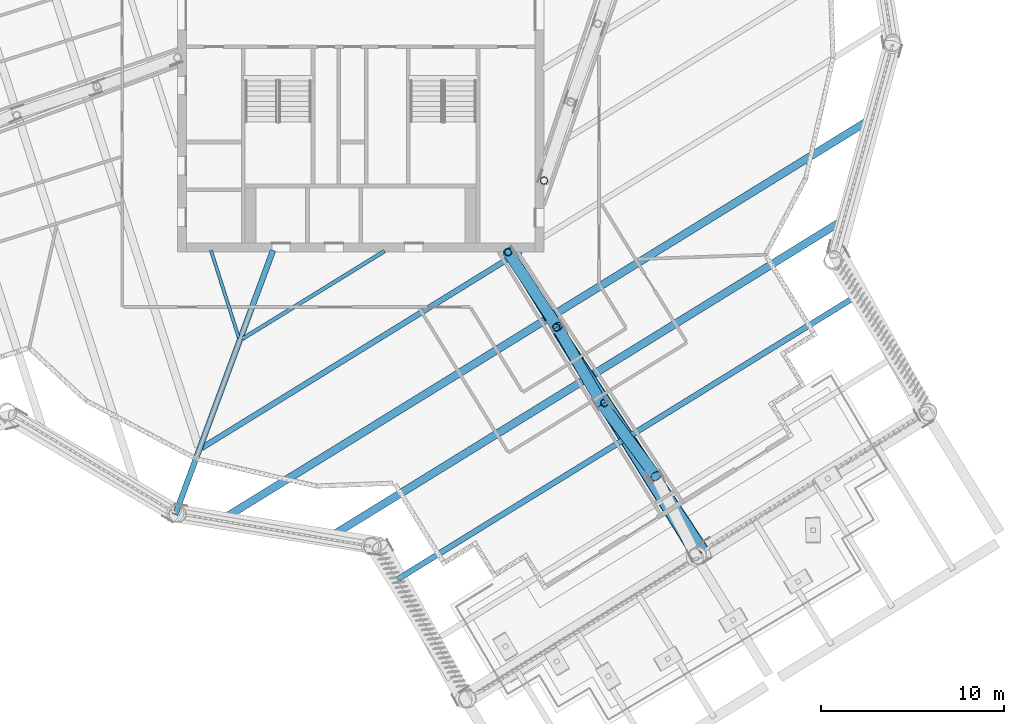
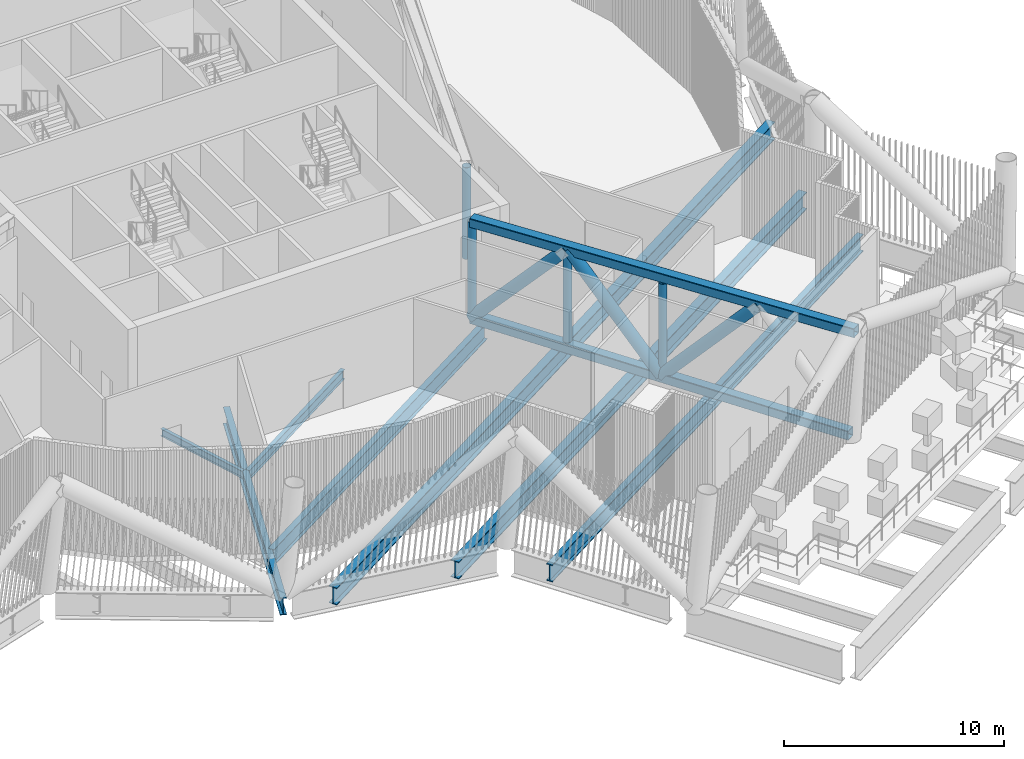
# One storey, part 4 of 40: 9 members, 7 beams.
"""IFC4 building model written with IfcOpenShell, lengths in metres."""

from ifc_helpers import new_model, si_unit, direction, frame, origin, origin_2d, place, context, subcontext, project, spatial, hollow_rectangle, hollow_circle, i_section, extrude, material, material_profile, profile_set, type_object, element, save


model = new_model("IFC4")

# Units and contexts
model_context = context("Model", 3, precision=1e-05, world=origin(), true_north=direction((0.0, 1.0)))
body_context = subcontext(model_context, "Body", "Model", "MODEL_VIEW")
ifc_project = project(units=[si_unit("LENGTHUNIT", "METRE"), si_unit("AREAUNIT", "SQUARE_METRE"), si_unit("VOLUMEUNIT", "CUBIC_METRE"), si_unit("PLANEANGLEUNIT", "RADIAN"), si_unit("MASSUNIT", "GRAM", prefix="KILO")], contexts=[model_context])

# Site, building, storey
site_placement = place(None, origin())
site = spatial("IfcSite", under=ifc_project, at=site_placement, CompositionType="ELEMENT")
building_placement = place(site_placement, origin())
building = spatial("IfcBuilding", under=site, at=building_placement, Name="Tarsis Ring Headquarters", CompositionType="ELEMENT")
storey_placement = place(building_placement, frame((0.0, 0.0, 354.800048828125)))
storey = spatial("IfcBuildingStorey", under=building, at=storey_placement, Name="L84", CompositionType="ELEMENT", Elevation=354.800048828125)

# Beams
ifc_material = material(Name="Structural steel S355", Category="steel")
ifc_material_profile_1 = material_profile(ifc_material, i_section(OverallWidth=0.177734375, OverallDepth=0.406494140625, WebThickness=0.0078125, FlangeThickness=0.0126953125, at=origin_2d()), Name="W16x40")
ifc_profile_set_1 = profile_set([ifc_material_profile_1], Name="Structural steel S355")
beam_type_1 = type_object("IfcBeamType", Name="FB Floor beam W16x40", PredefinedType="JOIST", material=ifc_profile_set_1)
beam_1_placement = place(storey_placement, frame((-8.16650390625, -12.90478515625, -0.503173828125), z_axis=(0.303682474088, -0.952773296714, 0.0), x_axis=(0.952773296714, 0.303682474088, 0.0)))
element("IfcBeam", 1, at=beam_1_placement, inside=storey, type_object=beam_type_1, Name="Floor beam FB1", PredefinedType="JOIST", context=body_context, shape_type="SweptSolid", body=[
    extrude(i_section(OverallWidth=0.177734375, OverallDepth=0.406494140625, WebThickness=0.0078125, FlangeThickness=0.0126953125, at=origin_2d()), origin(), (0.0, 0.0, 1.0), 5.008544921875),
])
ifc_material_profile_2 = material_profile(ifc_material, i_section(OverallWidth=0.209228515625, OverallDepth=0.533447265625, WebThickness=0.01025390625, FlangeThickness=0.015625, at=origin_2d()), Name="W21x62")
ifc_profile_set_2 = profile_set([ifc_material_profile_2], Name="Structural steel S355")
beam_type_2 = type_object("IfcBeamType", Name="FB Floor beam W21x62", PredefinedType="JOIST", material=ifc_profile_set_2)
beam_2_placement = place(storey_placement, frame((-6.47021484375, -17.74169921875, -0.566650390625), z_axis=(0.850988202104, 0.525184805453, 0.0), x_axis=(-0.525184805453, 0.850988202104, 0.0)))
element("IfcBeam", 2, at=beam_2_placement, inside=storey, type_object=beam_type_2, Name="Floor beam FB3", PredefinedType="JOIST", context=body_context, shape_type="SweptSolid", body=[
    extrude(i_section(OverallWidth=0.209228515625, OverallDepth=0.533447265625, WebThickness=0.01025390625, FlangeThickness=0.015625, at=origin_2d()), origin(), (0.0, 0.0, 1.0), 9.128662109375),
])
ifc_material_profile_3 = material_profile(ifc_material, i_section(OverallWidth=0.3046875, OverallDepth=0.904296875, WebThickness=0.01513671875, FlangeThickness=0.02001953125, at=origin_2d()), Name="W36x135")
ifc_profile_set_3 = profile_set([ifc_material_profile_3], Name="Structural steel S355")
beam_type_3 = type_object("IfcBeamType", Name="FB Floor beam W36x135", PredefinedType="JOIST", material=ifc_profile_set_3)
beam_3_placement = place(storey_placement, frame((-8.670166015625, -23.68212890625, -0.752197265625), z_axis=(0.850996148246, 0.525171929629, 0.0), x_axis=(-0.525171929629, 0.850996148246, 0.0)))
element("IfcBeam", 3, at=beam_3_placement, inside=storey, type_object=beam_type_3, Name="Floor beam FB8", PredefinedType="JOIST", context=body_context, shape_type="SweptSolid", body=[
    extrude(i_section(OverallWidth=0.3046875, OverallDepth=0.904296875, WebThickness=0.01513671875, FlangeThickness=0.02001953125, at=origin_2d()), origin(), (0.0, 0.0, 1.0), 20.440185546875),
])
ifc_material_profile_4 = material_profile(ifc_material, i_section(OverallWidth=0.309814453125, OverallDepth=0.949951171875, WebThickness=0.0244140625, FlangeThickness=0.0439453125, at=origin_2d()), Name="W36x256")
ifc_profile_set_4 = profile_set([ifc_material_profile_4], Name="Structural steel S355")
beam_type_4 = type_object("IfcBeamType", Name="FB Floor beam W36x256", PredefinedType="JOIST", material=ifc_profile_set_4)
beam_4_placement = place(storey_placement, frame((1.670166015625, -31.04931640625, -0.775146484375), z_axis=(0.850998192388, 0.525168617257, 0.0), x_axis=(-0.525168617257, 0.850998192388, 0.0)))
element("IfcBeam", 4, at=beam_4_placement, inside=storey, type_object=beam_type_4, Name="Floor beam FB11", PredefinedType="JOIST", context=body_context, shape_type="SweptSolid", body=[
    extrude(i_section(OverallWidth=0.309814453125, OverallDepth=0.949951171875, WebThickness=0.0244140625, FlangeThickness=0.0439453125, at=origin_2d()), origin(), (0.0, 0.0, 1.0), 29.77001953125),
])
beam_type_5 = type_object("IfcBeamType", Name="FB Floor beam W36x256 spine", PredefinedType="BEAM", material=ifc_profile_set_4)
beam_5_placement = place(storey_placement, frame((-4.779296875, -12.90625, -0.775146484375), z_axis=(-0.347263140755, -0.937767727677, 0.0), x_axis=(0.937767727677, -0.347263140755, 0.0)))
element("IfcBeam", 5, at=beam_5_placement, inside=storey, type_object=beam_type_5, Name="Floor beam SB11", PredefinedType="BEAM", context=body_context, shape_type="SweptSolid", body=[
    extrude(i_section(OverallWidth=0.309814453125, OverallDepth=0.949951171875, WebThickness=0.0244140625, FlangeThickness=0.0439453125, at=origin_2d()), origin(), (0.0, 0.0, 1.0), 15.37060546875),
])
ifc_material_profile_5 = material_profile(ifc_material, i_section(OverallWidth=0.42431640625, OverallDepth=0.947509765625, WebThickness=0.02392578125, FlangeThickness=0.042724609375, at=origin_2d()), Name="W36x302")
ifc_profile_set_5 = profile_set([ifc_material_profile_5], Name="Structural steel S355")
beam_type_6 = type_object("IfcBeamType", Name="FB Floor beam W36x302", PredefinedType="JOIST", material=ifc_profile_set_5)
beam_6_placement = place(storey_placement, frame((-7.739990234375, -27.69091796875, -0.773681640625), z_axis=(0.850995496373, 0.525172985932, 0.0), x_axis=(-0.525172985932, 0.850995496373, 0.0)))
element("IfcBeam", 6, at=beam_6_placement, inside=storey, type_object=beam_type_6, Name="Floor beam FB12", PredefinedType="JOIST", context=body_context, shape_type="SweptSolid", body=[
    extrude(i_section(OverallWidth=0.42431640625, OverallDepth=0.947509765625, WebThickness=0.02392578125, FlangeThickness=0.042724609375, at=origin_2d()), origin(), (0.0, 0.0, 1.0), 41.941650390625),
])
beam_7_placement = place(storey_placement, frame((-1.916015625, -28.6796875, -0.773681640625), z_axis=(0.850992432353, 0.525177950868, 0.0), x_axis=(-0.525177950868, 0.850992432353, 0.0)))
element("IfcBeam", 7, at=beam_7_placement, inside=storey, type_object=beam_type_6, Name="Floor beam FB12", PredefinedType="JOIST", context=body_context, shape_type="SweptSolid", body=[
    extrude(i_section(OverallWidth=0.42431640625, OverallDepth=0.947509765625, WebThickness=0.02392578125, FlangeThickness=0.042724609375, at=origin_2d()), origin(), (0.0, 0.0, 1.0), 33.293212890625),
])

# Members
ifc_material_profile_6 = material_profile(ifc_material, hollow_rectangle(XDim=0.508056640625, YDim=0.508056640625, WallThickness=0.025390625, InnerFilletRadius=0.025390625, OuterFilletRadius=0.05078125, at=origin_2d()), Name="HSS 508x508x25")
ifc_profile_set_6 = profile_set([ifc_material_profile_6], Name="Structural steel S355")
member_type_1 = type_object("IfcMemberType", Name="OC Outrigger chord HSS 508x508x25", PredefinedType="CHORD", material=ifc_profile_set_6)
member_1_placement = place(storey_placement, frame((8.036376953125, -13.0, 0.25390625), z_axis=(0.525828679949, -0.850590500384, 0.0), x_axis=(0.850590500384, 0.525828679949, 0.0)))
element("IfcMember", 8, at=member_1_placement, inside=storey, type_object=member_type_1, Name="Outrigger chord OC1", PredefinedType="CHORD", context=body_context, shape_type="SweptSolid", body=[
    extrude(hollow_rectangle(XDim=0.508056640625, YDim=0.508056640625, WallThickness=0.025390625, InnerFilletRadius=0.025390625, OuterFilletRadius=0.05078125, at=origin_2d()), origin(), (0.0, 0.0, 1.0), 19.516357421875),
])
member_2_placement = place(storey_placement, frame((8.036376953125, -13.0, 5.5859375), z_axis=(0.550073551296, -0.835116212371, 0.0), x_axis=(0.835116212371, 0.550073551296, 0.0)))
element("IfcMember", 9, at=member_2_placement, inside=storey, type_object=member_type_1, Name="Outrigger chord OC1", PredefinedType="CHORD", context=body_context, shape_type="SweptSolid", body=[
    extrude(hollow_rectangle(XDim=0.508056640625, YDim=0.508056640625, WallThickness=0.025390625, InnerFilletRadius=0.025390625, OuterFilletRadius=0.05078125, at=origin_2d()), origin(), (0.0, 0.0, 1.0), 19.519775390625),
])
ifc_material_profile_7 = material_profile(ifc_material, hollow_circle(Radius=0.3046875, WallThickness=0.02490234375, at=origin_2d()), Name="CHS 610x25")
ifc_profile_set_7 = profile_set([ifc_material_profile_7], Name="Structural steel S355")
member_type_2 = type_object("IfcMemberType", Name="OD Outrigger diagonal CHS 610x25", PredefinedType="BRACE", material=ifc_profile_set_7)
member_3_placement = place(storey_placement, frame((8.036376953125, -13.0, 0.25390625), z_axis=(0.371380971378, -0.563810020395, 0.737695353788), x_axis=(0.835108643159, 0.550085042627, 0.0)))
element("IfcMember", 10, at=member_3_placement, inside=storey, type_object=member_type_2, Name="Outrigger diagonal OD1", PredefinedType="BRACE", context=body_context, shape_type="SweptSolid", body=[
    extrude(hollow_circle(Radius=0.3046875, WallThickness=0.02490234375, at=origin_2d()), origin(), (0.0, 0.0, 1.0), 7.22802734375),
])
member_4_placement = place(storey_placement, frame((10.720703125, -17.0751953125, 5.5859375), z_axis=(0.338433612458, -0.58440751319, -0.737516473366), x_axis=(0.865366938722, 0.501138764583, 0.0)))
element("IfcMember", 11, at=member_4_placement, inside=storey, type_object=member_type_2, Name="Outrigger diagonal OD1", PredefinedType="BRACE", context=body_context, shape_type="SweptSolid", body=[
    extrude(hollow_circle(Radius=0.3046875, WallThickness=0.02490234375, at=origin_2d()), origin(), (0.0, 0.0, 1.0), 7.229736328125),
])
member_5_placement = place(storey_placement, frame((13.16748046875, -21.30029296875, 0.25390625), z_axis=(0.40372738012, -0.542407465321, 0.736748494471), x_axis=(0.802179872507, 0.597082450038, 0.0)))
element("IfcMember", 12, at=member_5_placement, inside=storey, type_object=member_type_2, Name="Outrigger diagonal OD1", PredefinedType="BRACE", context=body_context, shape_type="SweptSolid", body=[
    extrude(hollow_circle(Radius=0.3046875, WallThickness=0.02490234375, at=origin_2d()), origin(), (0.0, 0.0, 1.0), 7.2373046875),
])
ifc_material_profile_8 = material_profile(ifc_material, hollow_circle(Radius=0.203125, WallThickness=0.01611328125, at=origin_2d()), Name="CHS 406x16")
ifc_profile_set_8 = profile_set([ifc_material_profile_8], Name="Structural steel S355")
member_type_3 = type_object("IfcMemberType", Name="OV Outrigger post CHS 406x16", PredefinedType="STRUT", material=ifc_profile_set_8)
for number, where, z_axis, x_axis, name in (
    (13, (10.0, -9.10009765625, 0.508056640625), (0.0, 0.0, 1.0), (1.0, 0.0, 0.0), "Outrigger post OV1"),
    (14, (8.036376953125, -13.0, 0.508056640625), (0.0, 0.0, 1.0), (1.0, 0.0, 0.0), "Outrigger post OV1"),
):
    element("IfcMember", number, at=place(storey_placement, frame(where, z_axis=z_axis, x_axis=x_axis)), inside=storey, type_object=member_type_3, Name=name, PredefinedType="STRUT", context=body_context, shape_type="SweptSolid", body=[
        extrude(hollow_circle(Radius=0.203125, WallThickness=0.01611328125, at=origin_2d()), origin(), (0.0, 0.0, 1.0), 5.077880859375),
    ])
for number, where, z_axis, x_axis, name in (
    (15, (10.661376953125, -17.11279296875, 0.508056640625), (0.0, 0.0, 1.0), (1.0, 0.0, 0.0), "Outrigger post OV1"),
    (16, (13.286376953125, -21.225341796875, 0.508056640625), (0.0, 0.0, 1.0), (1.0, 0.0, 0.0), "Outrigger post OV1"),
):
    element("IfcMember", number, at=place(storey_placement, frame(where, z_axis=z_axis, x_axis=x_axis)), inside=storey, type_object=member_type_3, Name=name, PredefinedType="STRUT", context=body_context, shape_type="SweptSolid", body=[
        extrude(hollow_circle(Radius=0.203125, WallThickness=0.01611328125, at=origin_2d()), origin(), (0.0, 0.0, 1.0), 4.823974609375),
    ])

save(model, "model.ifc")
